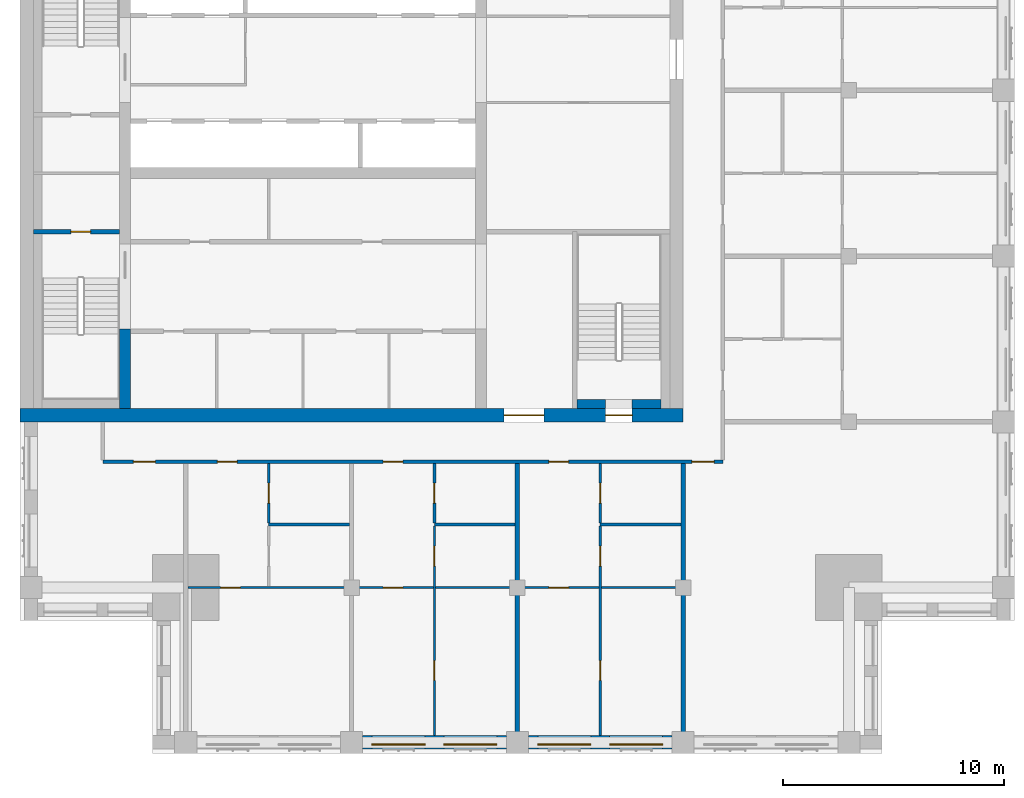
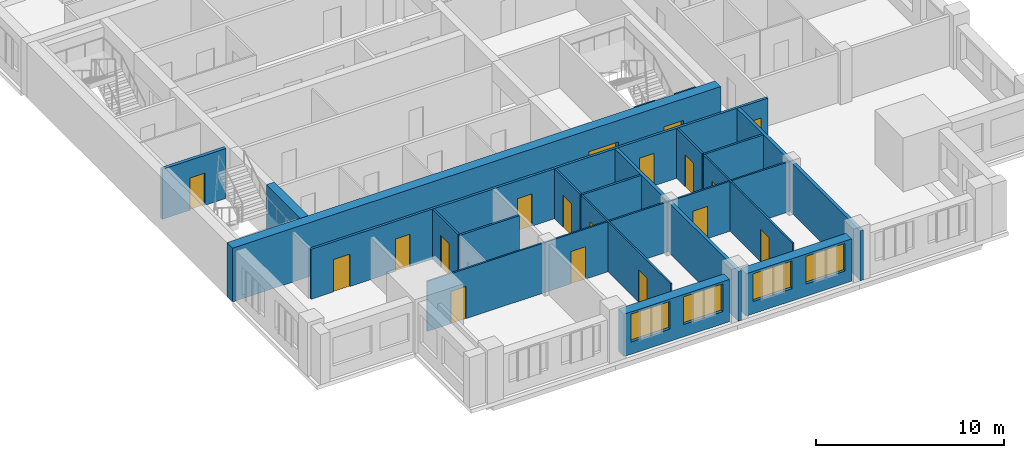
# One storey, part 3 of 10: 19 walls, 18 doors, 4 windows, 22 openings.
"""IFC4 building model written with IfcOpenShell, lengths in metres."""

from ifc_helpers import new_model, si_unit, direction, frame, frame_2d, origin, place, context, subcontext, project, spatial, rectangle, extrude, material, layer, layer_set, type_object, element, fill, save


model = new_model("IFC4")

# Units and contexts
model_context = context("Model", 3, precision=1e-05, world=origin(), true_north=direction((0.0, 1.0)))
body_context = subcontext(model_context, "Body", "Model", "MODEL_VIEW")
ifc_project = project(units=[si_unit("LENGTHUNIT", "METRE"), si_unit("AREAUNIT", "SQUARE_METRE"), si_unit("VOLUMEUNIT", "CUBIC_METRE"), si_unit("PLANEANGLEUNIT", "RADIAN"), si_unit("MASSUNIT", "GRAM", prefix="KILO")], contexts=[model_context])

# Site, building, storey
site_placement = place(None, origin())
site = spatial("IfcSite", under=ifc_project, at=site_placement, CompositionType="ELEMENT")
building_placement = place(site_placement, origin())
building = spatial("IfcBuilding", under=site, at=building_placement, Name="Tamorin Gate", CompositionType="ELEMENT")
storey_placement = place(building_placement, frame((0.0, 0.0, 276.699951171875)))
storey = spatial("IfcBuildingStorey", under=building, at=storey_placement, Name="L69", CompositionType="ELEMENT", Elevation=276.699951171875)

# Wall, openings, windows
ifc_material_1 = material(Name="Precast concrete C40/50", Category="concrete")
ifc_layer_1 = layer(ifc_material_1, 0.60009765625)
ifc_layer_set_1 = layer_set([ifc_layer_1], Name="Precast concrete C40/50")
wall_type_1 = type_object("IfcWallType", Name="Board-marked concrete facade panel 600", PredefinedType="SOLIDWALL", material=ifc_layer_set_1)
wall_1_placement = place(storey_placement, frame((45.5, 45.5, 0.0), z_axis=(0.0, 0.0, 1.0), x_axis=(1.0, 0.0, 0.0)))
wall_1 = element("IfcWall", 1, at=wall_1_placement, inside=storey, type_object=wall_type_1, Name="Facade panel", PredefinedType="SOLIDWALL", context=body_context, shape_type="SweptSolid", body=[
    extrude(rectangle(XDim=6.5, YDim=0.60009765625, at=frame_2d((3.25, 0.0))), origin(), (0.0, 0.0, 1.0), 2.75),
])
opening_1_placement = place(wall_1_placement, frame((0.425048828125, 0.0, 0.800048828125)))
opening_1 = element("IfcOpeningElement", 2, at=opening_1_placement, cuts=wall_1, Name="Opening WN1", PredefinedType="OPENING", context=body_context, shape_type="SweptSolid", body=[
    extrude(rectangle(XDim=2.39990234375, YDim=1.800048828125, at=frame_2d((1.199951171875, 0.89990234375))), frame((0.0, 0.31005859375, 0.0), z_axis=(0.0, -1.0, 0.0), x_axis=(1.0, 0.0, 0.0)), (0.0, 0.0, 1.0), 0.6201171875),
])
opening_2_placement = place(wall_1_placement, frame((3.675048828125, 0.0, 0.800048828125)))
opening_2 = element("IfcOpeningElement", 3, at=opening_2_placement, cuts=wall_1, Name="Opening WN1", PredefinedType="OPENING", context=body_context, shape_type="SweptSolid", body=[
    extrude(rectangle(XDim=2.39990234375, YDim=1.800048828125, at=frame_2d((1.199951171875, 0.89990234375))), frame((0.0, 0.31005859375, 0.0), z_axis=(0.0, -1.0, 0.0), x_axis=(1.0, 0.0, 0.0)), (0.0, 0.0, 1.0), 0.6201171875),
])
ifc_material_2 = material(Name="Clear glass in aluminium frame", Category="aluminium")
window_type = type_object("IfcWindowType", Name="Deep-set window 2400x1800", PartitioningType="SINGLE_PANEL", PredefinedType="WINDOW", material=ifc_material_2)
window_1_placement = place(opening_1_placement, origin())
window_1 = element("IfcWindow", 4, at=window_1_placement, inside=storey, type_object=window_type, Name="Deep-set window", OverallHeight=1.800048828125, OverallWidth=2.39990234375, PartitioningType="SINGLE_PANEL", PredefinedType="WINDOW", context=body_context, shape_type="SweptSolid", body=[
    extrude(rectangle(XDim=2.39990234375, YDim=1.800048828125, at=frame_2d((1.199951171875, 0.89990234375))), frame((0.0, -0.070068359375, 0.0), z_axis=(0.0, -1.0, 0.0), x_axis=(1.0, 0.0, 0.0)), (0.0, 0.0, 1.0), 0.06005859375),
])
fill(opening_1, window_1)
window_2_placement = place(opening_2_placement, origin())
window_2 = element("IfcWindow", 5, at=window_2_placement, inside=storey, type_object=window_type, Name="Deep-set window", OverallHeight=1.800048828125, OverallWidth=2.39990234375, PartitioningType="SINGLE_PANEL", PredefinedType="WINDOW", context=body_context, shape_type="SweptSolid", body=[
    extrude(rectangle(XDim=2.39990234375, YDim=1.800048828125, at=frame_2d((1.199951171875, 0.89990234375))), frame((0.0, -0.070068359375, 0.0), z_axis=(0.0, -1.0, 0.0), x_axis=(1.0, 0.0, 0.0)), (0.0, 0.0, 1.0), 0.06005859375),
])
fill(opening_2, window_2)

wall_2_placement = place(storey_placement, frame((53.0, 45.5, 0.0), z_axis=(0.0, 0.0, 1.0), x_axis=(1.0, 0.0, 0.0)))
wall_2 = element("IfcWall", 6, at=wall_2_placement, inside=storey, type_object=wall_type_1, Name="Facade panel", PredefinedType="SOLIDWALL", context=body_context, shape_type="SweptSolid", body=[
    extrude(rectangle(XDim=6.5, YDim=0.60009765625, at=frame_2d((3.25, 0.0))), origin(), (0.0, 0.0, 1.0), 2.75),
])
opening_3_placement = place(wall_2_placement, frame((0.425048828125, 0.0, 0.800048828125)))
opening_3 = element("IfcOpeningElement", 7, at=opening_3_placement, cuts=wall_2, Name="Opening WN1", PredefinedType="OPENING", context=body_context, shape_type="SweptSolid", body=[
    extrude(rectangle(XDim=2.39990234375, YDim=1.800048828125, at=frame_2d((1.199951171875, 0.89990234375))), frame((0.0, 0.31005859375, 0.0), z_axis=(0.0, -1.0, 0.0), x_axis=(1.0, 0.0, 0.0)), (0.0, 0.0, 1.0), 0.6201171875),
])
opening_4_placement = place(wall_2_placement, frame((3.675048828125, 0.0, 0.800048828125)))
opening_4 = element("IfcOpeningElement", 8, at=opening_4_placement, cuts=wall_2, Name="Opening WN1", PredefinedType="OPENING", context=body_context, shape_type="SweptSolid", body=[
    extrude(rectangle(XDim=2.39990234375, YDim=1.800048828125, at=frame_2d((1.199951171875, 0.89990234375))), frame((0.0, 0.31005859375, 0.0), z_axis=(0.0, -1.0, 0.0), x_axis=(1.0, 0.0, 0.0)), (0.0, 0.0, 1.0), 0.6201171875),
])
window_3_placement = place(opening_3_placement, origin())
window_3 = element("IfcWindow", 9, at=window_3_placement, inside=storey, type_object=window_type, Name="Deep-set window", OverallHeight=1.800048828125, OverallWidth=2.39990234375, PartitioningType="SINGLE_PANEL", PredefinedType="WINDOW", context=body_context, shape_type="SweptSolid", body=[
    extrude(rectangle(XDim=2.39990234375, YDim=1.800048828125, at=frame_2d((1.199951171875, 0.89990234375))), frame((0.0, -0.070068359375, 0.0), z_axis=(0.0, -1.0, 0.0), x_axis=(1.0, 0.0, 0.0)), (0.0, 0.0, 1.0), 0.06005859375),
])
fill(opening_3, window_3)
window_4_placement = place(opening_4_placement, origin())
window_4 = element("IfcWindow", 10, at=window_4_placement, inside=storey, type_object=window_type, Name="Deep-set window", OverallHeight=1.800048828125, OverallWidth=2.39990234375, PartitioningType="SINGLE_PANEL", PredefinedType="WINDOW", context=body_context, shape_type="SweptSolid", body=[
    extrude(rectangle(XDim=2.39990234375, YDim=1.800048828125, at=frame_2d((1.199951171875, 0.89990234375))), frame((0.0, -0.070068359375, 0.0), z_axis=(0.0, -1.0, 0.0), x_axis=(1.0, 0.0, 0.0)), (0.0, 0.0, 1.0), 0.06005859375),
])
fill(opening_4, window_4)

# Wall, openings, doors
ifc_material_3 = material(Name="Gypsum board partition")
ifc_layer_2 = layer(ifc_material_3, 0.14990234375)
ifc_layer_set_2 = layer_set([ifc_layer_2], Name="Corridor wall 150")
wall_type_2 = type_object("IfcWallType", Name="Corridor wall 150", PredefinedType="PARTITIONING", material=ifc_layer_set_2)
wall_3_placement = place(storey_placement, frame((33.75, 58.199951171875, 0.0), z_axis=(0.0, 0.0, 1.0), x_axis=(1.0, 0.0, 0.0)))
wall_3 = element("IfcWall", 11, at=wall_3_placement, inside=storey, type_object=wall_type_2, Name="Corridor wall 150", PredefinedType="PARTITIONING", context=body_context, shape_type="SweptSolid", body=[
    extrude(rectangle(XDim=28.050048828125, YDim=0.14990234375, at=frame_2d((14.02490234375, 0.0))), origin(), (0.0, 0.0, 1.0), 3.25),
])
opening_5_placement = place(wall_3_placement, frame((1.375, 0.0, 0.0)))
opening_5 = element("IfcOpeningElement", 12, at=opening_5_placement, cuts=wall_3, Name="Opening DR11001", PredefinedType="OPENING", context=body_context, shape_type="SweptSolid", body=[
    extrude(rectangle(XDim=1.0, YDim=2.10009765625, at=frame_2d((0.5, 1.050048828125))), frame((0.0, 0.0849609375, 0.0), z_axis=(0.0, -1.0, 0.0), x_axis=(1.0, 0.0, 0.0)), (0.0, 0.0, 1.0), 0.169921875),
])
opening_6_placement = place(wall_3_placement, frame((5.175048828125, 0.0, 0.0)))
opening_6 = element("IfcOpeningElement", 13, at=opening_6_placement, cuts=wall_3, Name="Opening DR11002", PredefinedType="OPENING", context=body_context, shape_type="SweptSolid", body=[
    extrude(rectangle(XDim=0.89990234375, YDim=2.10009765625, at=frame_2d((0.449951171875, 1.050048828125))), frame((0.0, 0.0849609375, 0.0), z_axis=(0.0, -1.0, 0.0), x_axis=(1.0, 0.0, 0.0)), (0.0, 0.0, 1.0), 0.169921875),
])
opening_7_placement = place(wall_3_placement, frame((12.675048828125, 0.0, 0.0)))
opening_7 = element("IfcOpeningElement", 14, at=opening_7_placement, cuts=wall_3, Name="Opening DR11006", PredefinedType="OPENING", context=body_context, shape_type="SweptSolid", body=[
    extrude(rectangle(XDim=0.89990234375, YDim=2.10009765625, at=frame_2d((0.449951171875, 1.050048828125))), frame((0.0, 0.0849609375, 0.0), z_axis=(0.0, -1.0, 0.0), x_axis=(1.0, 0.0, 0.0)), (0.0, 0.0, 1.0), 0.169921875),
])
opening_8_placement = place(wall_3_placement, frame((20.175048828125, 0.0, 0.0)))
opening_8 = element("IfcOpeningElement", 15, at=opening_8_placement, cuts=wall_3, Name="Opening DR11011", PredefinedType="OPENING", context=body_context, shape_type="SweptSolid", body=[
    extrude(rectangle(XDim=0.89990234375, YDim=2.10009765625, at=frame_2d((0.449951171875, 1.050048828125))), frame((0.0, 0.0849609375, 0.0), z_axis=(0.0, -1.0, 0.0), x_axis=(1.0, 0.0, 0.0)), (0.0, 0.0, 1.0), 0.169921875),
])
opening_9_placement = place(wall_3_placement, frame((26.64990234375, 0.0, 0.0)))
opening_9 = element("IfcOpeningElement", 16, at=opening_9_placement, cuts=wall_3, Name="Opening DR11016", PredefinedType="OPENING", context=body_context, shape_type="SweptSolid", body=[
    extrude(rectangle(XDim=1.0, YDim=2.10009765625, at=frame_2d((0.5, 1.050048828125))), frame((0.0, 0.0849609375, 0.0), z_axis=(0.0, -1.0, 0.0), x_axis=(1.0, 0.0, 0.0)), (0.0, 0.0, 1.0), 0.169921875),
])
ifc_material_4 = material(Name="Timber door leaf", Category="wood")
door_type_1 = type_object("IfcDoorType", Name="Door 1000 x 2100 FD30S", OperationType="NOTDEFINED", PredefinedType="DOOR", material=ifc_material_4)
door_1_placement = place(opening_5_placement, origin())
door_1 = element("IfcDoor", 17, at=door_1_placement, inside=storey, type_object=door_type_1, Name="Door DR11001", OperationType="SINGLE_SWING_RIGHT", OverallHeight=2.10009765625, OverallWidth=1.0, PredefinedType="DOOR", context=body_context, shape_type="SweptSolid", body=[
    extrude(rectangle(XDim=1.0, YDim=2.10009765625, at=frame_2d((0.5, 1.050048828125))), frame((0.0, 0.02490234375, 0.0), z_axis=(0.0, -1.0, 0.0), x_axis=(1.0, 0.0, 0.0)), (0.0, 0.0, 1.0), 0.050048828125),
])
fill(opening_5, door_1)
door_2_placement = place(opening_9_placement, origin())
door_2 = element("IfcDoor", 18, at=door_2_placement, inside=storey, type_object=door_type_1, Name="Door DR11016", OperationType="SINGLE_SWING_RIGHT", OverallHeight=2.10009765625, OverallWidth=1.0, PredefinedType="DOOR", context=body_context, shape_type="SweptSolid", body=[
    extrude(rectangle(XDim=1.0, YDim=2.10009765625, at=frame_2d((0.5, 1.050048828125))), frame((0.0, 0.02490234375, 0.0), z_axis=(0.0, -1.0, 0.0), x_axis=(1.0, 0.0, 0.0)), (0.0, 0.0, 1.0), 0.050048828125),
])
fill(opening_9, door_2)
door_type_2 = type_object("IfcDoorType", Name="Door 900 x 2100 FD30S", OperationType="NOTDEFINED", PredefinedType="DOOR", material=ifc_material_4)
door_3_placement = place(opening_6_placement, origin())
door_3 = element("IfcDoor", 19, at=door_3_placement, inside=storey, type_object=door_type_2, Name="Door DR11002", OperationType="SINGLE_SWING_RIGHT", OverallHeight=2.10009765625, OverallWidth=0.89990234375, PredefinedType="DOOR", context=body_context, shape_type="SweptSolid", body=[
    extrude(rectangle(XDim=0.89990234375, YDim=2.10009765625, at=frame_2d((0.449951171875, 1.050048828125))), frame((0.0, 0.02490234375, 0.0), z_axis=(0.0, -1.0, 0.0), x_axis=(1.0, 0.0, 0.0)), (0.0, 0.0, 1.0), 0.050048828125),
])
fill(opening_6, door_3)
door_4_placement = place(opening_7_placement, origin())
door_4 = element("IfcDoor", 20, at=door_4_placement, inside=storey, type_object=door_type_2, Name="Door DR11006", OperationType="SINGLE_SWING_RIGHT", OverallHeight=2.10009765625, OverallWidth=0.89990234375, PredefinedType="DOOR", context=body_context, shape_type="SweptSolid", body=[
    extrude(rectangle(XDim=0.89990234375, YDim=2.10009765625, at=frame_2d((0.449951171875, 1.050048828125))), frame((0.0, 0.02490234375, 0.0), z_axis=(0.0, -1.0, 0.0), x_axis=(1.0, 0.0, 0.0)), (0.0, 0.0, 1.0), 0.050048828125),
])
fill(opening_7, door_4)
door_5_placement = place(opening_8_placement, origin())
door_5 = element("IfcDoor", 21, at=door_5_placement, inside=storey, type_object=door_type_2, Name="Door DR11011", OperationType="SINGLE_SWING_RIGHT", OverallHeight=2.10009765625, OverallWidth=0.89990234375, PredefinedType="DOOR", context=body_context, shape_type="SweptSolid", body=[
    extrude(rectangle(XDim=0.89990234375, YDim=2.10009765625, at=frame_2d((0.449951171875, 1.050048828125))), frame((0.0, 0.02490234375, 0.0), z_axis=(0.0, -1.0, 0.0), x_axis=(1.0, 0.0, 0.0)), (0.0, 0.0, 1.0), 0.050048828125),
])
fill(opening_8, door_5)

# Walls
ifc_layer_3 = layer(ifc_material_3, 0.199951171875)
ifc_layer_set_3 = layer_set([ifc_layer_3], Name="Demising wall 200")
wall_type_3 = type_object("IfcWallType", Name="Demising wall 200", PredefinedType="PARTITIONING", material=ifc_layer_set_3)
for number, where, z_axis, x_axis, name in (
    (22, (52.5, 45.0, 0.0), (0.0, 0.0, 1.0), (0.0, 1.0, 0.0), "Demising wall 200"),
    (23, (60.0, 45.0, 0.0), (0.0, 0.0, 1.0), (0.0, 1.0, 0.0), "Demising wall 200"),
):
    element("IfcWall", number, at=place(storey_placement, frame(where, z_axis=z_axis, x_axis=x_axis)), inside=storey, type_object=wall_type_3, Name=name, PredefinedType="PARTITIONING", context=body_context, shape_type="SweptSolid", body=[
        extrude(rectangle(XDim=13.125, YDim=0.199951171875, at=frame_2d((6.5625, 0.0))), origin(), (0.0, 0.0, 1.0), 3.25),
    ])
ifc_material_5 = material(Name="Concrete C50/60", Category="concrete")
ifc_layer_4 = layer(ifc_material_5, 0.5)
ifc_layer_set_4 = layer_set([ifc_layer_4], Name="RC core internal wall 500 C50/60")
wall_type_4 = type_object("IfcWallType", Name="RC core internal wall 500 C50/60", PredefinedType="SHEAR", material=ifc_layer_set_4)
wall_4_placement = place(storey_placement, frame((34.75, 60.60009765625, 0.0), z_axis=(0.0, 0.0, 1.0), x_axis=(0.0, 1.0, 0.0)))
element("IfcWall", 24, at=wall_4_placement, inside=storey, type_object=wall_type_4, Name="Core cross wall L69", PredefinedType="SHEAR", context=body_context, shape_type="SweptSolid", body=[
    extrude(rectangle(XDim=3.599853515625, YDim=0.5, at=frame_2d((1.7998046875, 0.0))), origin(), (0.0, 0.0, 1.0), 3.5),
])

# Wall, openings, doors
ifc_layer_5 = layer(ifc_material_5, 0.60009765625)
ifc_layer_set_5 = layer_set([ifc_layer_5], Name="RC core wall 600 C50/60")
wall_type_5 = type_object("IfcWallType", Name="RC core wall 600 C50/60", PredefinedType="SHEAR", material=ifc_layer_set_5)
wall_5_placement = place(storey_placement, frame((30.0, 60.300048828125, 0.0), z_axis=(0.0, 0.0, 1.0), x_axis=(1.0, 0.0, 0.0)))
wall_5 = element("IfcWall", 25, at=wall_5_placement, inside=storey, type_object=wall_type_5, Name="Core wall L69", PredefinedType="SHEAR", context=body_context, shape_type="SweptSolid", body=[
    extrude(rectangle(XDim=30.0, YDim=0.60009765625, at=frame_2d((15.0, 0.0))), origin(), (0.0, 0.0, 1.0), 3.5),
])
opening_10_placement = place(wall_5_placement, frame((21.89990234375, 0.0, 0.0)))
opening_10 = element("IfcOpeningElement", 26, at=opening_10_placement, cuts=wall_5, Name="Opening DE1", PredefinedType="OPENING", context=body_context, shape_type="SweptSolid", body=[
    extrude(rectangle(XDim=1.800048828125, YDim=2.10009765625, at=frame_2d((0.89990234375, 1.050048828125))), frame((0.0, 0.31005859375, 0.0), z_axis=(0.0, -1.0, 0.0), x_axis=(1.0, 0.0, 0.0)), (0.0, 0.0, 1.0), 0.6201171875),
])
opening_11_placement = place(wall_5_placement, frame((26.5, 0.0, 0.0)))
opening_11 = element("IfcOpeningElement", 27, at=opening_11_placement, cuts=wall_5, Name="Opening DS1", PredefinedType="OPENING", context=body_context, shape_type="SweptSolid", body=[
    extrude(rectangle(XDim=1.199951171875, YDim=2.10009765625, at=frame_2d((0.60009765625, 1.050048828125))), frame((0.0, 0.31005859375, 0.0), z_axis=(0.0, -1.0, 0.0), x_axis=(1.0, 0.0, 0.0)), (0.0, 0.0, 1.0), 0.6201171875),
])
ifc_material_6 = material(Name="Steel fire door", Category="steel")
door_type_3 = type_object("IfcDoorType", Name="Lobby exit double door 1800 x 2100 EI 60", OperationType="DOUBLE_DOOR_SINGLE_SWING", PredefinedType="DOOR", material=ifc_material_6)
door_6_placement = place(opening_10_placement, origin())
door_6 = element("IfcDoor", 28, at=door_6_placement, inside=storey, type_object=door_type_3, Name="Lift lobby A exit door", OperationType="DOUBLE_DOOR_SINGLE_SWING", OverallHeight=2.10009765625, OverallWidth=1.800048828125, PredefinedType="DOOR", context=body_context, shape_type="SweptSolid", body=[
    extrude(rectangle(XDim=1.800048828125, YDim=2.10009765625, at=frame_2d((0.89990234375, 1.050048828125))), frame((0.0, 0.02490234375, 0.0), z_axis=(0.0, -1.0, 0.0), x_axis=(1.0, 0.0, 0.0)), (0.0, 0.0, 1.0), 0.050048828125),
])
fill(opening_10, door_6)
door_type_4 = type_object("IfcDoorType", Name="Stair door 1200 x 2100 EI 90", OperationType="SINGLE_SWING_LEFT", PredefinedType="DOOR", material=ifc_material_6)
door_7_placement = place(opening_11_placement, origin())
door_7 = element("IfcDoor", 29, at=door_7_placement, inside=storey, type_object=door_type_4, Name="ST3 door", OperationType="SINGLE_SWING_LEFT", OverallHeight=2.10009765625, OverallWidth=1.199951171875, PredefinedType="DOOR", context=body_context, shape_type="SweptSolid", body=[
    extrude(rectangle(XDim=1.199951171875, YDim=2.10009765625, at=frame_2d((0.60009765625, 1.050048828125))), frame((0.0, 0.02490234375, 0.0), z_axis=(0.0, -1.0, 0.0), x_axis=(1.0, 0.0, 0.0)), (0.0, 0.0, 1.0), 0.050048828125),
])
fill(opening_11, door_7)

ifc_layer_6 = layer(ifc_material_3, 0.10009765625)
ifc_layer_set_6 = layer_set([ifc_layer_6], Name="Room partition 100")
wall_type_6 = type_object("IfcWallType", Name="Room partition 100", PredefinedType="PARTITIONING", material=ifc_layer_set_6)
wall_6_placement = place(storey_placement, frame((37.60009765625, 52.5, 0.0), z_axis=(0.0, 0.0, 1.0), x_axis=(1.0, 0.0, 0.0)))
wall_6 = element("IfcWall", 30, at=wall_6_placement, inside=storey, type_object=wall_type_6, Name="Room partition 100", PredefinedType="PARTITIONING", context=body_context, shape_type="SweptSolid", body=[
    extrude(rectangle(XDim=22.2998046875, YDim=0.10009765625, at=frame_2d((11.14990234375, 0.0))), origin(), (0.0, 0.0, 1.0), 3.25),
])
opening_12_placement = place(wall_6_placement, frame((1.47509765625, 0.0, 0.0)))
opening_12 = element("IfcOpeningElement", 31, at=opening_12_placement, cuts=wall_6, Name="Opening DR11003", PredefinedType="OPENING", context=body_context, shape_type="SweptSolid", body=[
    extrude(rectangle(XDim=0.89990234375, YDim=2.10009765625, at=frame_2d((0.449951171875, 1.050048828125))), frame((0.0, 0.06005859375, 0.0), z_axis=(0.0, -1.0, 0.0), x_axis=(1.0, 0.0, 0.0)), (0.0, 0.0, 1.0), 0.1201171875),
])
opening_13_placement = place(wall_6_placement, frame((8.824951171875, 0.0, 0.0)))
opening_13 = element("IfcOpeningElement", 32, at=opening_13_placement, cuts=wall_6, Name="Opening DR11007", PredefinedType="OPENING", context=body_context, shape_type="SweptSolid", body=[
    extrude(rectangle(XDim=0.89990234375, YDim=2.10009765625, at=frame_2d((0.449951171875, 1.050048828125))), frame((0.0, 0.06005859375, 0.0), z_axis=(0.0, -1.0, 0.0), x_axis=(1.0, 0.0, 0.0)), (0.0, 0.0, 1.0), 0.1201171875),
])
opening_14_placement = place(wall_6_placement, frame((16.324951171875, 0.0, 0.0)))
opening_14 = element("IfcOpeningElement", 33, at=opening_14_placement, cuts=wall_6, Name="Opening DR11012", PredefinedType="OPENING", context=body_context, shape_type="SweptSolid", body=[
    extrude(rectangle(XDim=0.89990234375, YDim=2.10009765625, at=frame_2d((0.449951171875, 1.050048828125))), frame((0.0, 0.06005859375, 0.0), z_axis=(0.0, -1.0, 0.0), x_axis=(1.0, 0.0, 0.0)), (0.0, 0.0, 1.0), 0.1201171875),
])
door_type_5 = type_object("IfcDoorType", Name="Door 900 x 2100", OperationType="NOTDEFINED", PredefinedType="DOOR", material=ifc_material_4)
door_8_placement = place(opening_12_placement, origin())
door_8 = element("IfcDoor", 34, at=door_8_placement, inside=storey, type_object=door_type_5, Name="Door DR11003", OperationType="SINGLE_SWING_RIGHT", OverallHeight=2.10009765625, OverallWidth=0.89990234375, PredefinedType="DOOR", context=body_context, shape_type="SweptSolid", body=[
    extrude(rectangle(XDim=0.89990234375, YDim=2.10009765625, at=frame_2d((0.449951171875, 1.050048828125))), frame((0.0, 0.02490234375, 0.0), z_axis=(0.0, -1.0, 0.0), x_axis=(1.0, 0.0, 0.0)), (0.0, 0.0, 1.0), 0.050048828125),
])
fill(opening_12, door_8)
door_9_placement = place(opening_13_placement, origin())
door_9 = element("IfcDoor", 35, at=door_9_placement, inside=storey, type_object=door_type_5, Name="Door DR11007", OperationType="SINGLE_SWING_LEFT", OverallHeight=2.10009765625, OverallWidth=0.89990234375, PredefinedType="DOOR", context=body_context, shape_type="SweptSolid", body=[
    extrude(rectangle(XDim=0.89990234375, YDim=2.10009765625, at=frame_2d((0.449951171875, 1.050048828125))), frame((0.0, 0.02490234375, 0.0), z_axis=(0.0, -1.0, 0.0), x_axis=(1.0, 0.0, 0.0)), (0.0, 0.0, 1.0), 0.050048828125),
])
fill(opening_13, door_9)
door_10_placement = place(opening_14_placement, origin())
door_10 = element("IfcDoor", 36, at=door_10_placement, inside=storey, type_object=door_type_5, Name="Door DR11012", OperationType="SINGLE_SWING_LEFT", OverallHeight=2.10009765625, OverallWidth=0.89990234375, PredefinedType="DOOR", context=body_context, shape_type="SweptSolid", body=[
    extrude(rectangle(XDim=0.89990234375, YDim=2.10009765625, at=frame_2d((0.449951171875, 1.050048828125))), frame((0.0, 0.02490234375, 0.0), z_axis=(0.0, -1.0, 0.0), x_axis=(1.0, 0.0, 0.0)), (0.0, 0.0, 1.0), 0.050048828125),
])
fill(opening_14, door_10)

wall_7_placement = place(storey_placement, frame((48.75, 45.81005859375, 0.0), z_axis=(0.0, 0.0, 1.0), x_axis=(0.0, 1.0, 0.0)))
wall_7 = element("IfcWall", 37, at=wall_7_placement, inside=storey, type_object=wall_type_6, Name="Room partition 100", PredefinedType="PARTITIONING", context=body_context, shape_type="SweptSolid", body=[
    extrude(rectangle(XDim=9.4775390625, YDim=0.10009765625, at=frame_2d((4.73876953125, 0.0))), origin(), (0.0, 0.0, 1.0), 3.25),
])
opening_15_placement = place(wall_7_placement, frame((7.6650390625, 0.0, 0.0)))
opening_15 = element("IfcOpeningElement", 38, at=opening_15_placement, cuts=wall_7, Name="Opening DR11008", PredefinedType="OPENING", context=body_context, shape_type="SweptSolid", body=[
    extrude(rectangle(XDim=0.89990234375, YDim=2.10009765625, at=frame_2d((0.449951171875, 1.050048828125))), frame((0.0, 0.06005859375, 0.0), z_axis=(0.0, -1.0, 0.0), x_axis=(1.0, 0.0, 0.0)), (0.0, 0.0, 1.0), 0.1201171875),
])
opening_16_placement = place(wall_7_placement, frame((2.489990234375, 0.0, 0.0)))
opening_16 = element("IfcOpeningElement", 39, at=opening_16_placement, cuts=wall_7, Name="Opening DR11010", PredefinedType="OPENING", context=body_context, shape_type="SweptSolid", body=[
    extrude(rectangle(XDim=0.89990234375, YDim=2.10009765625, at=frame_2d((0.449951171875, 1.050048828125))), frame((0.0, 0.06005859375, 0.0), z_axis=(0.0, -1.0, 0.0), x_axis=(1.0, 0.0, 0.0)), (0.0, 0.0, 1.0), 0.1201171875),
])
door_11_placement = place(opening_15_placement, origin())
door_11 = element("IfcDoor", 40, at=door_11_placement, inside=storey, type_object=door_type_5, Name="Door DR11008", OperationType="SINGLE_SWING_RIGHT", OverallHeight=2.10009765625, OverallWidth=0.89990234375, PredefinedType="DOOR", context=body_context, shape_type="SweptSolid", body=[
    extrude(rectangle(XDim=0.89990234375, YDim=2.10009765625, at=frame_2d((0.449951171875, 1.050048828125))), frame((0.0, 0.02490234375, 0.0), z_axis=(0.0, -1.0, 0.0), x_axis=(1.0, 0.0, 0.0)), (0.0, 0.0, 1.0), 0.050048828125),
])
fill(opening_15, door_11)
door_12_placement = place(opening_16_placement, origin())
door_12 = element("IfcDoor", 41, at=door_12_placement, inside=storey, type_object=door_type_5, Name="Door DR11010", OperationType="SINGLE_SWING_LEFT", OverallHeight=2.10009765625, OverallWidth=0.89990234375, PredefinedType="DOOR", context=body_context, shape_type="SweptSolid", body=[
    extrude(rectangle(XDim=0.89990234375, YDim=2.10009765625, at=frame_2d((0.449951171875, 1.050048828125))), frame((0.0, 0.02490234375, 0.0), z_axis=(0.0, -1.0, 0.0), x_axis=(1.0, 0.0, 0.0)), (0.0, 0.0, 1.0), 0.050048828125),
])
fill(opening_16, door_12)

wall_8_placement = place(storey_placement, frame((56.25, 45.81005859375, 0.0), z_axis=(0.0, 0.0, 1.0), x_axis=(0.0, 1.0, 0.0)))
wall_8 = element("IfcWall", 42, at=wall_8_placement, inside=storey, type_object=wall_type_6, Name="Room partition 100", PredefinedType="PARTITIONING", context=body_context, shape_type="SweptSolid", body=[
    extrude(rectangle(XDim=9.4775390625, YDim=0.10009765625, at=frame_2d((4.73876953125, 0.0))), origin(), (0.0, 0.0, 1.0), 3.25),
])
opening_17_placement = place(wall_8_placement, frame((7.6650390625, 0.0, 0.0)))
opening_17 = element("IfcOpeningElement", 43, at=opening_17_placement, cuts=wall_8, Name="Opening DR11013", PredefinedType="OPENING", context=body_context, shape_type="SweptSolid", body=[
    extrude(rectangle(XDim=0.89990234375, YDim=2.10009765625, at=frame_2d((0.449951171875, 1.050048828125))), frame((0.0, 0.06005859375, 0.0), z_axis=(0.0, -1.0, 0.0), x_axis=(1.0, 0.0, 0.0)), (0.0, 0.0, 1.0), 0.1201171875),
])
opening_18_placement = place(wall_8_placement, frame((2.489990234375, 0.0, 0.0)))
opening_18 = element("IfcOpeningElement", 44, at=opening_18_placement, cuts=wall_8, Name="Opening DR11015", PredefinedType="OPENING", context=body_context, shape_type="SweptSolid", body=[
    extrude(rectangle(XDim=0.89990234375, YDim=2.10009765625, at=frame_2d((0.449951171875, 1.050048828125))), frame((0.0, 0.06005859375, 0.0), z_axis=(0.0, -1.0, 0.0), x_axis=(1.0, 0.0, 0.0)), (0.0, 0.0, 1.0), 0.1201171875),
])
door_13_placement = place(opening_17_placement, origin())
door_13 = element("IfcDoor", 45, at=door_13_placement, inside=storey, type_object=door_type_5, Name="Door DR11013", OperationType="SINGLE_SWING_RIGHT", OverallHeight=2.10009765625, OverallWidth=0.89990234375, PredefinedType="DOOR", context=body_context, shape_type="SweptSolid", body=[
    extrude(rectangle(XDim=0.89990234375, YDim=2.10009765625, at=frame_2d((0.449951171875, 1.050048828125))), frame((0.0, 0.02490234375, 0.0), z_axis=(0.0, -1.0, 0.0), x_axis=(1.0, 0.0, 0.0)), (0.0, 0.0, 1.0), 0.050048828125),
])
fill(opening_17, door_13)
door_14_placement = place(opening_18_placement, origin())
door_14 = element("IfcDoor", 46, at=door_14_placement, inside=storey, type_object=door_type_5, Name="Door DR11015", OperationType="SINGLE_SWING_LEFT", OverallHeight=2.10009765625, OverallWidth=0.89990234375, PredefinedType="DOOR", context=body_context, shape_type="SweptSolid", body=[
    extrude(rectangle(XDim=0.89990234375, YDim=2.10009765625, at=frame_2d((0.449951171875, 1.050048828125))), frame((0.0, 0.02490234375, 0.0), z_axis=(0.0, -1.0, 0.0), x_axis=(1.0, 0.0, 0.0)), (0.0, 0.0, 1.0), 0.050048828125),
])
fill(opening_18, door_14)

# Wall, opening, door
ifc_material_7 = material(Name="Concrete C40/50", Category="concrete")
ifc_layer_7 = layer(ifc_material_7, 0.199951171875)
ifc_layer_set_7 = layer_set([ifc_layer_7], Name="Stair enclosure wall 200 EI 120 C40/50")
wall_type_7 = type_object("IfcWallType", Name="Stair enclosure wall 200 EI 120 C40/50", PredefinedType="SOLIDWALL", material=ifc_layer_set_7)
wall_9_placement = place(storey_placement, frame((30.60009765625, 68.60009765625, 0.0), z_axis=(0.0, 0.0, 1.0), x_axis=(1.0, 0.0, 0.0)))
wall_9 = element("IfcWall", 47, at=wall_9_placement, inside=storey, type_object=wall_type_7, Name="Stair enclosure wall", PredefinedType="SOLIDWALL", context=body_context, shape_type="SweptSolid", body=[
    extrude(rectangle(XDim=3.89990234375, YDim=0.199951171875, at=frame_2d((1.949951171875, 0.0))), origin(), (0.0, 0.0, 1.0), 3.25),
])
opening_19_placement = place(wall_9_placement, frame((1.699951171875, 0.0, 0.0)))
opening_19 = element("IfcOpeningElement", 48, at=opening_19_placement, cuts=wall_9, Name="Opening DR1", PredefinedType="OPENING", context=body_context, shape_type="SweptSolid", body=[
    extrude(rectangle(XDim=0.89990234375, YDim=2.10009765625, at=frame_2d((0.449951171875, 1.050048828125))), frame((0.0, 0.10986328125, 0.0), z_axis=(0.0, -1.0, 0.0), x_axis=(1.0, 0.0, 0.0)), (0.0, 0.0, 1.0), 0.219970703125),
])
door_type_6 = type_object("IfcDoorType", Name="Riser access door 900 x 2100 EI 120", OperationType="SINGLE_SWING_LEFT", PredefinedType="DOOR", material=ifc_material_6)
door_15_placement = place(opening_19_placement, origin())
door_15 = element("IfcDoor", 49, at=door_15_placement, inside=storey, type_object=door_type_6, Name="Electrical riser door", OperationType="SINGLE_SWING_LEFT", OverallHeight=2.10009765625, OverallWidth=0.89990234375, PredefinedType="DOOR", context=body_context, shape_type="SweptSolid", body=[
    extrude(rectangle(XDim=0.89990234375, YDim=2.10009765625, at=frame_2d((0.449951171875, 1.050048828125))), frame((0.0, 0.02490234375, 0.0), z_axis=(0.0, -1.0, 0.0), x_axis=(1.0, 0.0, 0.0)), (0.0, 0.0, 1.0), 0.050048828125),
])
fill(opening_19, door_15)

# Walls
ifc_layer_8 = layer(ifc_material_5, 0.39990234375)
ifc_layer_set_8 = layer_set([ifc_layer_8], Name="Stair lining wall 400 EI 120 C50/60")
wall_type_8 = type_object("IfcWallType", Name="Stair lining wall 400 EI 120 C50/60", PredefinedType="SOLIDWALL", material=ifc_layer_set_8)
for number, where, z_axis, x_axis, name in (
    (50, (55.199951171875, 60.800048828125, 0.0), (0.0, 0.0, 1.0), (1.0, 0.0, 0.0), "Stair lining wall"),
    (51, (57.699951171875, 60.800048828125, 0.0), (0.0, 0.0, 1.0), (1.0, 0.0, 0.0), "Stair lining wall"),
):
    element("IfcWall", number, at=place(storey_placement, frame(where, z_axis=z_axis, x_axis=x_axis)), inside=storey, type_object=wall_type_8, Name=name, PredefinedType="SOLIDWALL", context=body_context, shape_type="SweptSolid", body=[
        extrude(rectangle(XDim=1.300048828125, YDim=0.39990234375, at=frame_2d((0.64990234375, 0.0))), origin(), (0.0, 0.0, 1.0), 3.25),
    ])
ifc_layer_9 = layer(ifc_material_3, 0.125)
ifc_layer_set_9 = layer_set([ifc_layer_9], Name="Wet wall 125")
wall_type_9 = type_object("IfcWallType", Name="Wet wall 125", PredefinedType="PARTITIONING", material=ifc_layer_set_9)
for number, where, z_axis, x_axis, name in (
    (52, (41.25, 55.35009765625, 0.0), (0.0, 0.0, 1.0), (1.0, 0.0, 0.0), "Wet wall 125"),
    (53, (48.75, 55.35009765625, 0.0), (0.0, 0.0, 1.0), (1.0, 0.0, 0.0), "Wet wall 125"),
    (54, (56.25, 55.35009765625, 0.0), (0.0, 0.0, 1.0), (1.0, 0.0, 0.0), "Wet wall 125"),
):
    element("IfcWall", number, at=place(storey_placement, frame(where, z_axis=z_axis, x_axis=x_axis)), inside=storey, type_object=wall_type_9, Name=name, PredefinedType="PARTITIONING", context=body_context, shape_type="SweptSolid", body=[
        extrude(rectangle(XDim=3.64990234375, YDim=0.125, at=frame_2d((1.824951171875, 0.0))), origin(), (0.0, 0.0, 1.0), 3.25),
    ])

# Wall, opening, door
wall_10_placement = place(storey_placement, frame((41.25, 55.41259765625, 0.0), z_axis=(0.0, 0.0, 1.0), x_axis=(0.0, 1.0, 0.0)))
wall_10 = element("IfcWall", 55, at=wall_10_placement, inside=storey, type_object=wall_type_9, Name="Wet wall 125", PredefinedType="PARTITIONING", context=body_context, shape_type="SweptSolid", body=[
    extrude(rectangle(XDim=2.71240234375, YDim=0.125, at=frame_2d((1.356201171875, 0.0))), origin(), (0.0, 0.0, 1.0), 3.25),
])
opening_20_placement = place(wall_10_placement, frame((0.91259765625, 0.0, 0.0)))
opening_20 = element("IfcOpeningElement", 56, at=opening_20_placement, cuts=wall_10, Name="Opening DR11005", PredefinedType="OPENING", context=body_context, shape_type="SweptSolid", body=[
    extrude(rectangle(XDim=0.89990234375, YDim=2.10009765625, at=frame_2d((0.449951171875, 1.050048828125))), frame((0.0, 0.072509765625, 0.0), z_axis=(0.0, -1.0, 0.0), x_axis=(1.0, 0.0, 0.0)), (0.0, 0.0, 1.0), 0.14501953125),
])
door_16_placement = place(opening_20_placement, origin())
door_16 = element("IfcDoor", 57, at=door_16_placement, inside=storey, type_object=door_type_5, Name="Door DR11005", OperationType="SINGLE_SWING_RIGHT", OverallHeight=2.10009765625, OverallWidth=0.89990234375, PredefinedType="DOOR", context=body_context, shape_type="SweptSolid", body=[
    extrude(rectangle(XDim=0.89990234375, YDim=2.10009765625, at=frame_2d((0.449951171875, 1.050048828125))), frame((0.0, 0.02490234375, 0.0), z_axis=(0.0, -1.0, 0.0), x_axis=(1.0, 0.0, 0.0)), (0.0, 0.0, 1.0), 0.050048828125),
])
fill(opening_20, door_16)

wall_11_placement = place(storey_placement, frame((48.75, 55.41259765625, 0.0), z_axis=(0.0, 0.0, 1.0), x_axis=(0.0, 1.0, 0.0)))
wall_11 = element("IfcWall", 58, at=wall_11_placement, inside=storey, type_object=wall_type_9, Name="Wet wall 125", PredefinedType="PARTITIONING", context=body_context, shape_type="SweptSolid", body=[
    extrude(rectangle(XDim=2.71240234375, YDim=0.125, at=frame_2d((1.356201171875, 0.0))), origin(), (0.0, 0.0, 1.0), 3.25),
])
opening_21_placement = place(wall_11_placement, frame((0.91259765625, 0.0, 0.0)))
opening_21 = element("IfcOpeningElement", 59, at=opening_21_placement, cuts=wall_11, Name="Opening DR11009", PredefinedType="OPENING", context=body_context, shape_type="SweptSolid", body=[
    extrude(rectangle(XDim=0.89990234375, YDim=2.10009765625, at=frame_2d((0.449951171875, 1.050048828125))), frame((0.0, 0.072509765625, 0.0), z_axis=(0.0, -1.0, 0.0), x_axis=(1.0, 0.0, 0.0)), (0.0, 0.0, 1.0), 0.14501953125),
])
door_17_placement = place(opening_21_placement, origin())
door_17 = element("IfcDoor", 60, at=door_17_placement, inside=storey, type_object=door_type_5, Name="Door DR11009", OperationType="SINGLE_SWING_RIGHT", OverallHeight=2.10009765625, OverallWidth=0.89990234375, PredefinedType="DOOR", context=body_context, shape_type="SweptSolid", body=[
    extrude(rectangle(XDim=0.89990234375, YDim=2.10009765625, at=frame_2d((0.449951171875, 1.050048828125))), frame((0.0, 0.02490234375, 0.0), z_axis=(0.0, -1.0, 0.0), x_axis=(1.0, 0.0, 0.0)), (0.0, 0.0, 1.0), 0.050048828125),
])
fill(opening_21, door_17)

wall_12_placement = place(storey_placement, frame((56.25, 55.41259765625, 0.0), z_axis=(0.0, 0.0, 1.0), x_axis=(0.0, 1.0, 0.0)))
wall_12 = element("IfcWall", 61, at=wall_12_placement, inside=storey, type_object=wall_type_9, Name="Wet wall 125", PredefinedType="PARTITIONING", context=body_context, shape_type="SweptSolid", body=[
    extrude(rectangle(XDim=2.71240234375, YDim=0.125, at=frame_2d((1.356201171875, 0.0))), origin(), (0.0, 0.0, 1.0), 3.25),
])
opening_22_placement = place(wall_12_placement, frame((0.91259765625, 0.0, 0.0)))
opening_22 = element("IfcOpeningElement", 62, at=opening_22_placement, cuts=wall_12, Name="Opening DR11014", PredefinedType="OPENING", context=body_context, shape_type="SweptSolid", body=[
    extrude(rectangle(XDim=0.89990234375, YDim=2.10009765625, at=frame_2d((0.449951171875, 1.050048828125))), frame((0.0, 0.072509765625, 0.0), z_axis=(0.0, -1.0, 0.0), x_axis=(1.0, 0.0, 0.0)), (0.0, 0.0, 1.0), 0.14501953125),
])
door_18_placement = place(opening_22_placement, origin())
door_18 = element("IfcDoor", 63, at=door_18_placement, inside=storey, type_object=door_type_5, Name="Door DR11014", OperationType="SINGLE_SWING_RIGHT", OverallHeight=2.10009765625, OverallWidth=0.89990234375, PredefinedType="DOOR", context=body_context, shape_type="SweptSolid", body=[
    extrude(rectangle(XDim=0.89990234375, YDim=2.10009765625, at=frame_2d((0.449951171875, 1.050048828125))), frame((0.0, 0.02490234375, 0.0), z_axis=(0.0, -1.0, 0.0), x_axis=(1.0, 0.0, 0.0)), (0.0, 0.0, 1.0), 0.050048828125),
])
fill(opening_22, door_18)

save(model, "model.ifc")
